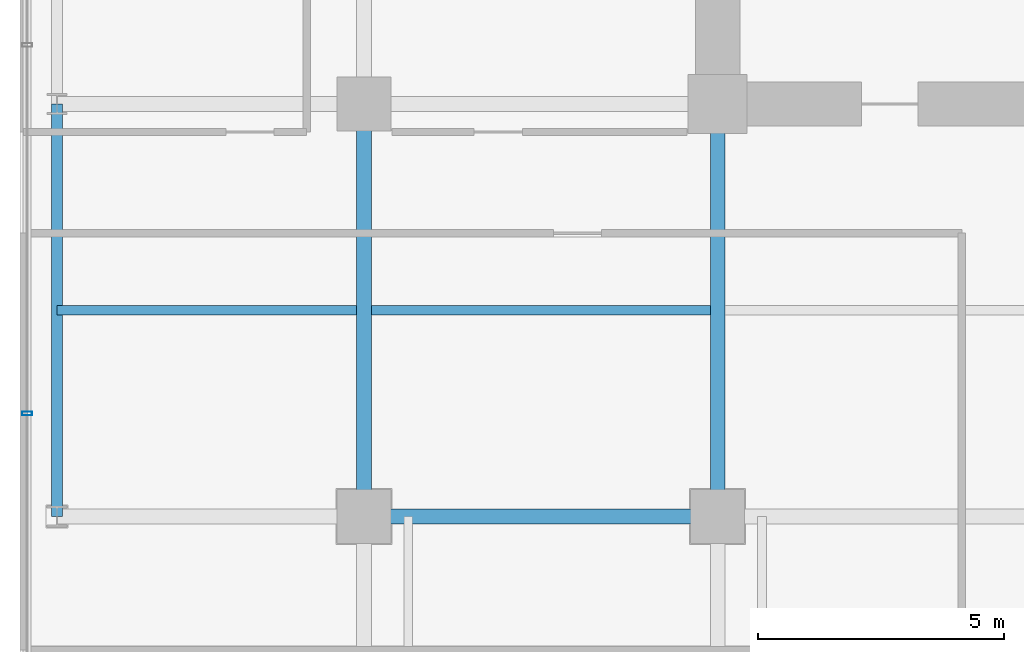
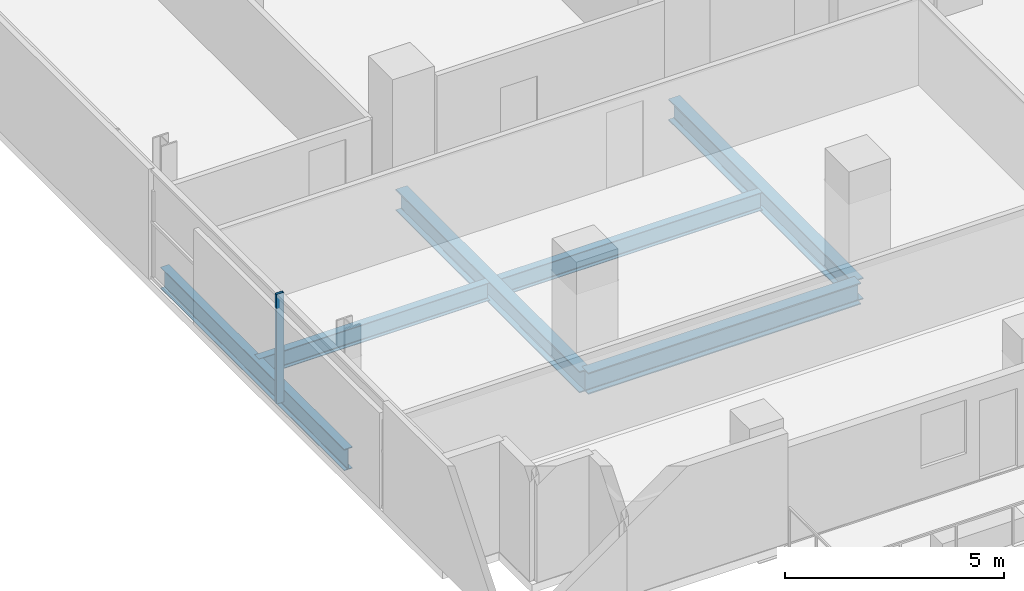
# One storey, part 4 of 28: 6 beams, 1 member, 1 element without a shape of its own.
"""IFC4 building model written with IfcOpenShell, lengths in metres."""

from ifc_helpers import new_model, si_unit, direction, frame, origin, origin_2d, place, context, subcontext, project, spatial, hollow_rectangle, i_section, extrude, source, transform, mapped, material, layer, layer_set, material_profile, profile_set, type_object, element, aggregate, save


model = new_model("IFC4")

# Units and contexts
model_context = context("Model", 3, precision=1e-05, world=origin(), true_north=direction((0.0, 1.0)))
body_context = subcontext(model_context, "Body", "Model", "MODEL_VIEW")
ifc_project = project(units=[si_unit("LENGTHUNIT", "METRE"), si_unit("AREAUNIT", "SQUARE_METRE"), si_unit("VOLUMEUNIT", "CUBIC_METRE"), si_unit("PLANEANGLEUNIT", "RADIAN"), si_unit("MASSUNIT", "GRAM", prefix="KILO")], contexts=[model_context])

# Site, building, storey
site_placement = place(None, origin())
site = spatial("IfcSite", under=ifc_project, at=site_placement, CompositionType="ELEMENT")
building_placement = place(site_placement, origin())
building = spatial("IfcBuilding", under=site, at=building_placement, Name="Zarnakvel Exchange Tower", CompositionType="ELEMENT")
storey_placement = place(building_placement, frame((0.0, 0.0, 57.10009765625)))
storey = spatial("IfcBuildingStorey", under=building, at=storey_placement, Name="L15", CompositionType="ELEMENT", Elevation=57.10009765625)

# Beams
ifc_material_1 = material(Name="Steel S355", Category="steel")
ifc_material_profile_1 = material_profile(ifc_material_1, i_section(OverallWidth=0.199951171875, OverallDepth=0.5, WebThickness=0.01025390625, FlangeThickness=0.01611328125, FilletRadius=0.02099609375, at=origin_2d()))
ifc_profile_set_1 = profile_set([ifc_material_profile_1], Name="Steel S355")
beam_type_1 = type_object("IfcBeamType", Name="B-04", PredefinedType="JOIST", material=ifc_profile_set_1)
beam_1_placement = place(storey_placement, frame((-27.85009765625, -5.39990234375, -0.47509765625), z_axis=(1.0, 0.0, 0.0), x_axis=(0.0, 1.0, 0.0)))
element("IfcBeam", 1, at=beam_1_placement, inside=storey, type_object=beam_type_1, Name="L15 Composite Floor Secondary Joist", PredefinedType="JOIST", context=body_context, shape_type="SweptSolid", body=[
    extrude(i_section(OverallWidth=0.199951171875, OverallDepth=0.5, WebThickness=0.01025390625, FlangeThickness=0.01611328125, FilletRadius=0.02099609375, at=origin_2d()), origin(), (0.0, 0.0, 1.0), 6.10009765625),
])
beam_2_placement = place(storey_placement, frame((-21.449951171875, -5.39990234375, -0.47509765625), z_axis=(1.0, 0.0, 0.0), x_axis=(0.0, 1.0, 0.0)))
element("IfcBeam", 2, at=beam_2_placement, inside=storey, type_object=beam_type_1, Name="L15 Composite Floor Secondary Joist", PredefinedType="JOIST", context=body_context, shape_type="SweptSolid", body=[
    extrude(i_section(OverallWidth=0.199951171875, OverallDepth=0.5, WebThickness=0.01025390625, FlangeThickness=0.01611328125, FilletRadius=0.02099609375, at=origin_2d()), origin(), (0.0, 0.0, 1.0), 6.89990234375),
])
ifc_material_profile_2 = material_profile(ifc_material_1, i_section(OverallWidth=0.300048828125, OverallDepth=0.60009765625, WebThickness=0.015380859375, FlangeThickness=0.030029296875, FilletRadius=0.027099609375, at=origin_2d()))
ifc_profile_set_2 = profile_set([ifc_material_profile_2], Name="Steel S355")
beam_type_2 = type_object("IfcBeamType", Name="G-04", PredefinedType="BEAM", material=ifc_profile_set_2)
beam_3_placement = place(storey_placement, frame((-21.60009765625, -9.60009765625, -0.525146484375), z_axis=(1.0, 0.0, 0.0), x_axis=(0.0, 1.0, 0.0)))
element("IfcBeam", 3, at=beam_3_placement, inside=storey, type_object=beam_type_2, Name="L15 Tower E-W Frame Beam", PredefinedType="BEAM", context=body_context, shape_type="SweptSolid", body=[
    extrude(i_section(OverallWidth=0.300048828125, OverallDepth=0.60009765625, WebThickness=0.015380859375, FlangeThickness=0.030029296875, FilletRadius=0.027099609375, at=origin_2d()), origin(), (0.0, 0.0, 1.0), 7.2001953125),
])
for number, where, z_axis, x_axis, name in (
    (4, (-21.60009765625, -9.60009765625, -0.525146484375), (0.0, 1.0, 0.0), (-1.0, 0.0, 0.0), "L15 Tower N-S Frame Beam"),
    (5, (-14.39990234375, -9.60009765625, -0.525146484375), (0.0, 1.0, 0.0), (-1.0, 0.0, 0.0), "L15 Tower N-S Frame Beam"),
):
    element("IfcBeam", number, at=place(storey_placement, frame(where, z_axis=z_axis, x_axis=x_axis)), inside=storey, type_object=beam_type_2, Name=name, PredefinedType="BEAM", context=body_context, shape_type="SweptSolid", body=[
        extrude(i_section(OverallWidth=0.300048828125, OverallDepth=0.60009765625, WebThickness=0.015380859375, FlangeThickness=0.030029296875, FilletRadius=0.027099609375, at=origin_2d()), origin(), (0.0, 0.0, 1.0), 8.400146484375),
    ])
ifc_material_profile_3 = material_profile(ifc_material_1, i_section(OverallWidth=0.219970703125, OverallDepth=0.60009765625, WebThickness=0.011962890625, FlangeThickness=0.01904296875, FilletRadius=0.02392578125, at=origin_2d()))
ifc_profile_set_3 = profile_set([ifc_material_profile_3], Name="Steel S355")
beam_type_3 = type_object("IfcBeamType", Name="SP-01", PredefinedType="SPANDREL", material=ifc_profile_set_3)
beam_4_placement = place(storey_placement, frame((-27.85009765625, -9.60009765625, -0.525146484375), z_axis=(0.0, 1.0, 0.0), x_axis=(-1.0, 0.0, 0.0)))
element("IfcBeam", 6, at=beam_4_placement, inside=storey, type_object=beam_type_3, Name="L15 Tower N-S Frame Beam", PredefinedType="SPANDREL", context=body_context, shape_type="SweptSolid", body=[
    extrude(i_section(OverallWidth=0.219970703125, OverallDepth=0.60009765625, WebThickness=0.011962890625, FlangeThickness=0.01904296875, FilletRadius=0.02392578125, at=origin_2d()), origin(), (0.0, 0.0, 1.0), 8.400146484375),
])

# Curtain wall, member
ifc_material_2 = material(Name="Architectural Bronze Anodised Aluminium", Category="aluminium")
ifc_layer = layer(ifc_material_2, 0.199951171875)
ifc_layer_set = layer_set([ifc_layer], Name="Architectural Bronze Anodised Aluminium")
curtain_wall_type = type_object("IfcCurtainWallType", Name="CW-04", PredefinedType="NOTDEFINED", material=ifc_layer_set)
curtain_wall_placement = place(storey_placement, origin())
curtain_wall = element("IfcCurtainWall", 7, at=curtain_wall_placement, inside=storey, type_object=curtain_wall_type, Name="L15 Curtain Wall CW-L15-W1 (CW-04)", PredefinedType="NOTDEFINED")
ifc_material_profile_4 = material_profile(ifc_material_2, hollow_rectangle(XDim=0.199951171875, YDim=0.074951171875, WallThickness=0.0048828125, at=origin_2d()))
ifc_profile_set_4 = profile_set([ifc_material_profile_4], Name="Architectural Bronze Anodised Aluminium")
member_type = type_object("IfcMemberType", Name="CWM-04", PredefinedType="MULLION", material=ifc_profile_set_4)
shared_shape = source(origin(), body_context, "Body", "SweptSolid", [
    extrude(hollow_rectangle(XDim=0.199951171875, YDim=0.074951171875, WallThickness=0.0048828125, at=origin_2d()), origin(), (0.0, 0.0, 1.0), 3.054931640625),
])
member_placement = place(storey_placement, frame((-28.4599609375, -7.5, 0.0), z_axis=(0.0, 0.0, 1.0), x_axis=(-1.0, 0.0, 0.0)))
member = element("IfcMember", 8, at=member_placement, type_object=member_type, Name="CW-04 mullion 2", PredefinedType="MULLION", context=body_context, shape_type="MappedRepresentation", body=[
    mapped(shared_shape, transform((0.0, 0.0, 0.0), x_axis=(1.0, 0.0, 0.0), y_axis=(0.0, 1.0, 0.0), z_axis=(0.0, 0.0, 1.0), scale=1.0)),
])
aggregate(curtain_wall, [member])

save(model, "model.ifc")
